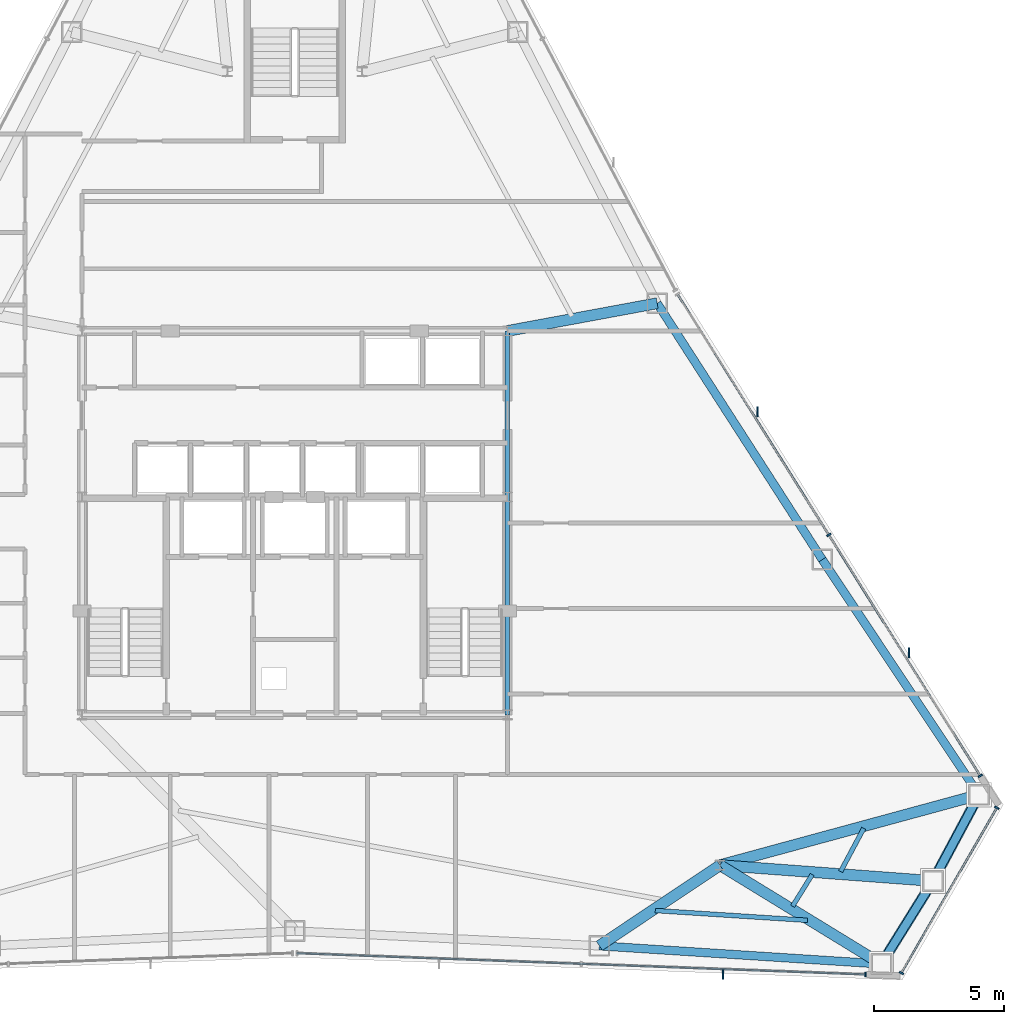
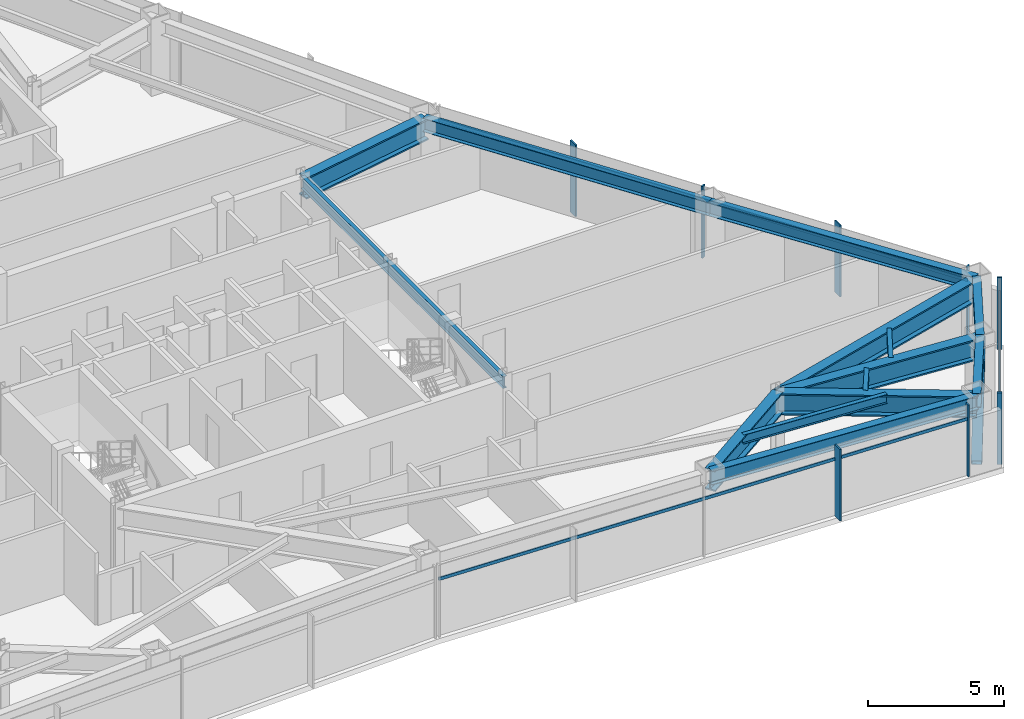
# One storey, part 7 of 13: 14 beams, 13 members, 3 elements without a shape of their own.
"""IFC4 building model written with IfcOpenShell, lengths in metres."""

from ifc_helpers import new_model, si_unit, direction, frame, origin, origin_2d, place, context, subcontext, project, spatial, rectangle, hollow_rectangle, i_section, extrude, source, transform, mapped, material, layer, layer_set, material_profile, profile_set, type_object, type_shapes, element, aggregate, save


model = new_model("IFC4")

# Units and contexts
model_context = context("Model", 3, precision=1e-05, world=origin(), true_north=direction((0.0, 1.0)))
body_context = subcontext(model_context, "Body", "Model", "MODEL_VIEW")
ifc_project = project(units=[si_unit("LENGTHUNIT", "METRE"), si_unit("AREAUNIT", "SQUARE_METRE"), si_unit("VOLUMEUNIT", "CUBIC_METRE"), si_unit("PLANEANGLEUNIT", "RADIAN"), si_unit("MASSUNIT", "GRAM", prefix="KILO")], contexts=[model_context])

# Site, building, storey
site_placement = place(None, origin())
site = spatial("IfcSite", under=ifc_project, at=site_placement, CompositionType="ELEMENT")
building_placement = place(site_placement, origin())
building = spatial("IfcBuilding", under=site, at=building_placement, Name="Varakhsha Concourse Tower", CompositionType="ELEMENT")
storey_placement = place(building_placement, frame((0.0, 0.0, 175.800048828125)))
storey = spatial("IfcBuildingStorey", under=building, at=storey_placement, Name="L50", CompositionType="ELEMENT", Elevation=175.800048828125)

# Beams
ifc_material_1 = material(Name="Structural Steel ASTM A992 Grade 50", Category="steel")
ifc_material_profile_1 = material_profile(ifc_material_1, i_section(OverallWidth=0.177978515625, OverallDepth=0.406982421875, WebThickness=0.008056640625, FlangeThickness=0.012939453125, at=origin_2d()), Name="W16X40")
ifc_profile_set_1 = profile_set([ifc_material_profile_1], Name="Structural Steel ASTM A992 Grade 50")
beam_type_1 = type_object("IfcBeamType", Name="BM-JST-W16X40", PredefinedType="JOIST", material=ifc_profile_set_1)
beam_1_placement = place(storey_placement, frame((53.902587890625, 8.851806640625, 3.00634765625), z_axis=(0.99793209754, -0.064276968651, 0.0), x_axis=(0.064276968651, 0.99793209754, 0.0)))
element("IfcBeam", 1, at=beam_1_placement, inside=storey, type_object=beam_type_1, Name="BM-TJST-L50-12", PredefinedType="JOIST", context=body_context, shape_type="SweptSolid", body=[
    extrude(i_section(OverallWidth=0.177978515625, OverallDepth=0.406982421875, WebThickness=0.008056640625, FlangeThickness=0.012939453125, at=origin_2d()), origin(), (0.0, 0.0, 1.0), 5.883544921875),
])
beam_2_placement = place(storey_placement, frame((59.1953125, 9.01708984375, 3.00634765625), z_axis=(0.528059854991, 0.849207153495, 0.0), x_axis=(-0.849207153495, 0.528059854991, 0.0)))
element("IfcBeam", 2, at=beam_2_placement, inside=storey, type_object=beam_type_1, Name="BM-TJST-L50-13", PredefinedType="JOIST", context=body_context, shape_type="SweptSolid", body=[
    extrude(i_section(OverallWidth=0.177978515625, OverallDepth=0.406982421875, WebThickness=0.008056640625, FlangeThickness=0.012939453125, at=origin_2d()), origin(), (0.0, 0.0, 1.0), 1.438232421875),
])
beam_3_placement = place(storey_placement, frame((61.050048828125, 10.35595703125, 3.00634765625), z_axis=(0.471432696915, 0.881902042338, 0.0), x_axis=(-0.881902042338, 0.471432696915, 0.0)))
element("IfcBeam", 3, at=beam_3_placement, inside=storey, type_object=beam_type_1, Name="BM-TJST-L50-14", PredefinedType="JOIST", context=body_context, shape_type="SweptSolid", body=[
    extrude(i_section(OverallWidth=0.177978515625, OverallDepth=0.406982421875, WebThickness=0.008056640625, FlangeThickness=0.012939453125, at=origin_2d()), origin(), (0.0, 0.0, 1.0), 1.89013671875),
])
ifc_material_profile_2 = material_profile(ifc_material_1, i_section(OverallWidth=0.423095703125, OverallDepth=0.947998046875, WebThickness=0.0380859375, FlangeThickness=0.06396484375, at=origin_2d()), Name="W36X302")
ifc_profile_set_2 = profile_set([ifc_material_profile_2], Name="Structural Steel ASTM A992 Grade 50")
beam_type_2 = type_object("IfcBeamType", Name="BM-OUTR-W36X302", PredefinedType="USERDEFINED", material=ifc_profile_set_2)
beam_4_placement = place(storey_placement, frame((56.39990234375, 10.60009765625, 2.73583984375), z_axis=(-0.83158036055, -0.555404450782, 0.0), x_axis=(0.555404450782, -0.83158036055, 0.0)))
element("IfcBeam", 4, at=beam_4_placement, inside=storey, type_object=beam_type_2, Name="L50 Radial Floor Girder 12", ObjectType="GIRDER", PredefinedType="USERDEFINED", context=body_context, shape_type="SweptSolid", body=[
    extrude(i_section(OverallWidth=0.423095703125, OverallDepth=0.947998046875, WebThickness=0.0380859375, FlangeThickness=0.06396484375, at=origin_2d()), origin(), (0.0, 0.0, 1.0), 5.598388671875),
])
beam_5_placement = place(storey_placement, frame((56.39990234375, 10.60009765625, 2.73583984375), z_axis=(0.852809936367, -0.522221420888, 0.0), x_axis=(0.522221420888, 0.852809936367, 0.0)))
element("IfcBeam", 5, at=beam_5_placement, inside=storey, type_object=beam_type_2, Name="L50 Radial Floor Girder 13", ObjectType="GIRDER", PredefinedType="USERDEFINED", context=body_context, shape_type="SweptSolid", body=[
    extrude(i_section(OverallWidth=0.423095703125, OverallDepth=0.947998046875, WebThickness=0.0380859375, FlangeThickness=0.06396484375, at=origin_2d()), origin(), (0.0, 0.0, 1.0), 7.294921875),
])
beam_6_placement = place(storey_placement, frame((56.39990234375, 10.60009765625, 2.73583984375), z_axis=(0.99725755111, -0.074009301804, 0.0), x_axis=(0.074009301804, 0.99725755111, 0.0)))
element("IfcBeam", 6, at=beam_6_placement, inside=storey, type_object=beam_type_2, Name="L50 Radial Floor Girder 14", ObjectType="GIRDER", PredefinedType="USERDEFINED", context=body_context, shape_type="SweptSolid", body=[
    extrude(i_section(OverallWidth=0.423095703125, OverallDepth=0.947998046875, WebThickness=0.0380859375, FlangeThickness=0.06396484375, at=origin_2d()), origin(), (0.0, 0.0, 1.0), 8.233642578125),
])
beam_7_placement = place(storey_placement, frame((56.39990234375, 10.60009765625, 2.73583984375), z_axis=(0.965004562858, 0.262233090327, 0.0), x_axis=(-0.262233090327, 0.965004562858, 0.0)))
element("IfcBeam", 7, at=beam_7_placement, inside=storey, type_object=beam_type_2, Name="L50 Radial Floor Girder 15", ObjectType="GIRDER", PredefinedType="USERDEFINED", context=body_context, shape_type="SweptSolid", body=[
    extrude(i_section(OverallWidth=0.423095703125, OverallDepth=0.947998046875, WebThickness=0.0380859375, FlangeThickness=0.06396484375, at=origin_2d()), origin(), (0.0, 0.0, 1.0), 10.35009765625),
])
beam_8_placement = place(storey_placement, frame((48.199951171875, 31.199951171875, 2.73583984375), z_axis=(0.983293026869, 0.182029731939, 0.0), x_axis=(-0.182029731939, 0.983293026869, 0.0)))
element("IfcBeam", 8, at=beam_8_placement, inside=storey, type_object=beam_type_2, Name="L50 Radial Floor Girder 17", ObjectType="GIRDER", PredefinedType="USERDEFINED", context=body_context, shape_type="SweptSolid", body=[
    extrude(i_section(OverallWidth=0.423095703125, OverallDepth=0.947998046875, WebThickness=0.0380859375, FlangeThickness=0.06396484375, at=origin_2d()), origin(), (0.0, 0.0, 1.0), 5.87451171875),
])
ifc_material_profile_3 = material_profile(ifc_material_1, i_section(OverallWidth=0.1669921875, OverallDepth=0.534912109375, WebThickness=0.010009765625, FlangeThickness=0.01708984375, at=origin_2d()), Name="W21X57")
ifc_profile_set_3 = profile_set([ifc_material_profile_3], Name="Structural Steel ASTM A992 Grade 50")
beam_type_3 = type_object("IfcBeamType", Name="BM-RAD-W21X57", PredefinedType="BEAM", material=ifc_profile_set_3)
beam_9_placement = place(storey_placement, frame((48.199951171875, 16.39990234375, 2.9423828125), z_axis=(0.0, 1.0, 0.0), x_axis=(-1.0, 0.0, 0.0)))
element("IfcBeam", 9, at=beam_9_placement, inside=storey, type_object=beam_type_3, Name="BM-TCORE-L50-CE", PredefinedType="BEAM", context=body_context, shape_type="SweptSolid", body=[
    extrude(i_section(OverallWidth=0.1669921875, OverallDepth=0.534912109375, WebThickness=0.010009765625, FlangeThickness=0.01708984375, at=origin_2d()), origin(), (0.0, 0.0, 1.0), 14.800048828125),
])
ifc_material_profile_4 = material_profile(ifc_material_1, i_section(OverallWidth=0.323974609375, OverallDepth=0.611083984375, WebThickness=0.012939453125, FlangeThickness=0.01904296875, at=origin_2d()), Name="W24X104")
ifc_profile_set_4 = profile_set([ifc_material_profile_4], Name="Structural Steel ASTM A992 Grade 50")
beam_type_4 = type_object("IfcBeamType", Name="BM-SPAN-W24X104", PredefinedType="SPANDREL", material=ifc_profile_set_4)
beam_10_placement = place(storey_placement, frame((51.744384765625, 7.49072265625, 2.904541015625), z_axis=(0.997934305556, -0.064242678915, 0.0), x_axis=(0.064242678915, 0.997934305556, 0.0)))
element("IfcBeam", 10, at=beam_10_placement, inside=storey, type_object=beam_type_4, Name="BM-SPAN-L50-12", PredefinedType="SPANDREL", context=body_context, shape_type="SweptSolid", body=[
    extrude(i_section(OverallWidth=0.323974609375, OverallDepth=0.611083984375, WebThickness=0.012939453125, FlangeThickness=0.01904296875, at=origin_2d()), origin(), (0.0, 0.0, 1.0), 10.899169921875),
])
for number, where, z_axis, x_axis, name in (
    (11, (62.62109375, 6.79052734375, 2.904541015625), (0.528064197342, 0.849204453289, 0.0), (-0.849204453289, 0.528064197342, 0.0), "BM-SPAN-L50-13"),
    (12, (64.611083984375, 9.99072265625, 2.904541015625), (0.471432003262, 0.881902413139, 0.0), (-0.881902413139, 0.471432003262, 0.0), "BM-SPAN-L50-14"),
):
    element("IfcBeam", number, at=place(storey_placement, frame(where, z_axis=z_axis, x_axis=x_axis)), inside=storey, type_object=beam_type_4, Name=name, PredefinedType="SPANDREL", context=body_context, shape_type="SweptSolid", body=[
        extrude(i_section(OverallWidth=0.323974609375, OverallDepth=0.611083984375, WebThickness=0.012939453125, FlangeThickness=0.01904296875, at=origin_2d()), origin(), (0.0, 0.0, 1.0), 3.7685546875),
    ])
beam_11_placement = place(storey_placement, frame((66.3876953125, 13.314208984375, 2.904541015625), z_axis=(-0.554617486764, 0.832105428041, 0.0), x_axis=(-0.832105428041, -0.554617486764, 0.0)))
element("IfcBeam", 13, at=beam_11_placement, inside=storey, type_object=beam_type_4, Name="BM-SPAN-L50-15", PredefinedType="SPANDREL", context=body_context, shape_type="SweptSolid", body=[
    extrude(i_section(OverallWidth=0.323974609375, OverallDepth=0.611083984375, WebThickness=0.012939453125, FlangeThickness=0.01904296875, at=origin_2d()), origin(), (0.0, 0.0, 1.0), 10.899169921875),
])
beam_12_placement = place(storey_placement, frame((60.3427734375, 22.383544921875, 2.904541015625), z_axis=(-0.541439522793, 0.840739700001, 0.0), x_axis=(-0.840739700001, -0.541439522793, 0.0)))
element("IfcBeam", 14, at=beam_12_placement, inside=storey, type_object=beam_type_4, Name="BM-SPAN-L50-16", PredefinedType="SPANDREL", context=body_context, shape_type="SweptSolid", body=[
    extrude(i_section(OverallWidth=0.323974609375, OverallDepth=0.611083984375, WebThickness=0.012939453125, FlangeThickness=0.01904296875, at=origin_2d()), origin(), (0.0, 0.0, 1.0), 11.75830078125),
])

# Members
ifc_material_2 = material(Name="Structural Steel ASTM A500 Grade C", Category="steel")
ifc_material_profile_5 = material_profile(ifc_material_2, hollow_rectangle(XDim=0.39990234375, YDim=0.39990234375, WallThickness=0.01611328125, at=origin_2d()), Name="HSS 400x400x16")
ifc_profile_set_5 = profile_set([ifc_material_profile_5], Name="Structural Steel ASTM A500 Grade C")
member_type_1 = type_object("IfcMemberType", Name="MB-TUBE-HSS400", PredefinedType="BRACE", material=ifc_profile_set_5)
shared_shape_1 = source(origin(), body_context, "Body", "SweptSolid", [
    extrude(hollow_rectangle(XDim=0.39990234375, YDim=0.39990234375, WallThickness=0.01611328125, at=origin_2d()), origin(), (0.0, 0.0, 1.0), 4.68896484375),
])
type_shapes(member_type_1, [shared_shape_1])
for number, where, z_axis, x_axis, name in (
    (15, (62.62109375, 6.79052734375, 0.119873046875), (0.424405981571, 0.682506883381, 0.595032702416), (-0.849204453289, 0.528064197342, 0.0), "L50 Wind-Corner Tube Brace B05"),
    (16, (66.3876953125, 13.314208984375, 0.119873046875), (-0.378893427331, -0.708791566066, 0.595024610079), (0.881902413139, -0.471432003262, 0.0), "L50 Wind-Corner Tube Brace B06"),
):
    element("IfcMember", number, at=place(storey_placement, frame(where, z_axis=z_axis, x_axis=x_axis)), inside=storey, type_object=member_type_1, Name=name, PredefinedType="BRACE", context=body_context, shape_type="MappedRepresentation", body=[
        mapped(shared_shape_1, transform((0.0, 0.0, 0.0), scale=1.0)),
    ])

# Curtain wall, member
ifc_material_3 = material(Name="Anodised Bronze Architectural Aluminium AA 6063-T6", Category="aluminium")
ifc_layer = layer(ifc_material_3, 0.2099609375, Name="CW-SYS-04")
ifc_layer_set = layer_set([ifc_layer], Name="Anodised Bronze Architectural Aluminium AA 6063-T6")
curtain_wall_type = type_object("IfcCurtainWallType", Name="CW-SYS-04", PredefinedType="NOTDEFINED", material=ifc_layer_set)
curtain_wall_1_placement = place(storey_placement, origin())
curtain_wall_1 = element("IfcCurtainWall", 17, at=curtain_wall_1_placement, inside=storey, type_object=curtain_wall_type, Name="L50 Crystal Curtain Wall F6", PredefinedType="NOTDEFINED")
ifc_material_profile_6 = material_profile(ifc_material_3, rectangle(XDim=0.06005859375, YDim=0.3798828125, at=origin_2d()), Name="FIN-BRZ-380")
ifc_profile_set_6 = profile_set([ifc_material_profile_6], Name="Anodised Bronze Architectural Aluminium AA 6063-T6")
member_type_2 = type_object("IfcMemberType", Name="FIN-BRZ-380", PredefinedType="USERDEFINED", material=ifc_profile_set_6)
shared_shape_2 = source(origin(), body_context, "Body", "SweptSolid", [
    extrude(rectangle(XDim=0.06005859375, YDim=0.3798828125, at=origin_2d()), origin(), (0.0, 0.0, 1.0), 3.2099609375),
])
type_shapes(member_type_2, [shared_shape_2])
member_1_placement = place(storey_placement, frame((56.521240234375, 6.386474609375, 0.0), z_axis=(0.0, 0.0, 1.0), x_axis=(1.0, 0.0, 0.0)))
member_1 = element("IfcMember", 18, at=member_1_placement, type_object=member_type_2, Name="L50 Anodised Bronze Solar Fin F6-1", ObjectType="SOLAR FIN", PredefinedType="USERDEFINED", context=body_context, shape_type="MappedRepresentation", body=[
    mapped(shared_shape_2, transform((0.0, 0.0, 0.0), scale=1.0)),
])

# Curtain wall, members
curtain_wall_2_placement = place(storey_placement, origin())
curtain_wall_2 = element("IfcCurtainWall", 19, at=curtain_wall_2_placement, inside=storey, type_object=curtain_wall_type, Name="L50 Crystal Curtain Wall F8", PredefinedType="NOTDEFINED")
member_2_placement = place(storey_placement, frame((57.8515625, 28.08740234375, 0.0), z_axis=(0.0, 0.0, 1.0), x_axis=(1.0, 0.0, 0.0)))
member_2 = element("IfcMember", 20, at=member_2_placement, type_object=member_type_2, Name="L50 Anodised Bronze Solar Fin F8-1", ObjectType="SOLAR FIN", PredefinedType="USERDEFINED", context=body_context, shape_type="MappedRepresentation", body=[
    mapped(shared_shape_2, transform((0.0, 0.0, 0.0), scale=1.0)),
])
member_3_placement = place(storey_placement, frame((63.687744140625, 18.798828125, 0.0), z_axis=(0.0, 0.0, 1.0), x_axis=(1.0, 0.0, 0.0)))
member_3 = element("IfcMember", 21, at=member_3_placement, type_object=member_type_2, Name="L50 Anodised Bronze Solar Fin F8-2", ObjectType="SOLAR FIN", PredefinedType="USERDEFINED", context=body_context, shape_type="MappedRepresentation", body=[
    mapped(shared_shape_2, transform((0.0, 0.0, 0.0), scale=1.0)),
])

# Member
ifc_material_profile_7 = material_profile(ifc_material_3, rectangle(XDim=0.06494140625, YDim=0.179931640625, at=origin_2d()), Name="CWM-180X65")
ifc_profile_set_7 = profile_set([ifc_material_profile_7], Name="Anodised Bronze Architectural Aluminium AA 6063-T6")
member_type_3 = type_object("IfcMemberType", Name="CWM-180X65", PredefinedType="MULLION", material=ifc_profile_set_7)
shared_shape_3 = source(origin(), body_context, "Body", "SweptSolid", [
    extrude(rectangle(XDim=0.06494140625, YDim=0.179931640625, at=origin_2d()), origin(), (0.0, 0.0, 1.0), 3.2099609375),
])
type_shapes(member_type_3, [shared_shape_3])
member_4_placement = place(storey_placement, frame((62.010009765625, 6.38623046875, 0.0), z_axis=(0.0, 0.0, 1.0), x_axis=(-0.999301264048, 0.037376244769, 0.0)))
member_4 = element("IfcMember", 22, at=member_4_placement, type_object=member_type_3, Name="CW-L50-F6 Mullion 00", PredefinedType="MULLION", context=body_context, shape_type="MappedRepresentation", body=[
    mapped(shared_shape_3, transform((0.0, 0.0, 0.0), scale=1.0)),
])

# Curtain wall, members
curtain_wall_3_placement = place(storey_placement, origin())
curtain_wall_3 = element("IfcCurtainWall", 23, at=curtain_wall_3_placement, inside=storey, type_object=curtain_wall_type, Name="L50 Chamfer Curtain Wall F7", PredefinedType="NOTDEFINED")
member_5_placement = place(storey_placement, frame((67.074462890625, 12.81787109375, 0.0), z_axis=(0.0, 0.0, 1.0), x_axis=(-0.499996976998, -0.866027149108, 0.0)))
member_5 = element("IfcMember", 24, at=member_5_placement, type_object=member_type_3, Name="CW-L50-F7 Mullion 00", PredefinedType="MULLION", context=body_context, shape_type="MappedRepresentation", body=[
    mapped(shared_shape_3, transform((0.0, 0.0, 0.0), scale=1.0)),
])
member_6_placement = place(storey_placement, frame((63.39453125, 6.44384765625, 0.0), z_axis=(0.0, 0.0, 1.0), x_axis=(-0.499996976998, -0.866027149108, 0.0)))
member_6 = element("IfcMember", 25, at=member_6_placement, type_object=member_type_3, Name="CW-L50-F7 Mullion 01", PredefinedType="MULLION", context=body_context, shape_type="MappedRepresentation", body=[
    mapped(shared_shape_3, transform((0.0, 0.0, 0.0), scale=1.0)),
])

# Member
member_7_placement = place(storey_placement, frame((60.595947265625, 23.333984375, 0.0), z_axis=(0.0, 0.0, 1.0), x_axis=(0.532022365141, -0.846730301212, 0.0)))
member_7 = element("IfcMember", 26, at=member_7_placement, type_object=member_type_3, Name="CW-L50-F8 Mullion 01", PredefinedType="MULLION", context=body_context, shape_type="MappedRepresentation", body=[
    mapped(shared_shape_3, transform((0.0, 0.0, 0.0), scale=1.0)),
])

member_8_placement = place(storey_placement, frame((66.43212890625, 14.045654296875, 0.0), z_axis=(0.0, 0.0, 1.0), x_axis=(0.532022365141, -0.846730301212, 0.0)))
member_8 = element("IfcMember", 27, at=member_8_placement, type_object=member_type_3, Name="CW-L50-F8 Mullion 02", PredefinedType="MULLION", context=body_context, shape_type="MappedRepresentation", body=[
    mapped(shared_shape_3, transform((0.0, 0.0, 0.0), scale=1.0)),
])

ifc_material_profile_8 = material_profile(ifc_material_3, rectangle(XDim=0.06005859375, YDim=0.139892578125, at=origin_2d()), Name="CWT-140X60")
ifc_profile_set_8 = profile_set([ifc_material_profile_8], Name="Anodised Bronze Architectural Aluminium AA 6063-T6")
member_type_4 = type_object("IfcMemberType", Name="CWT-140X60", PredefinedType="USERDEFINED", material=ifc_profile_set_8)
shared_shape_4 = source(origin(), body_context, "Body", "SweptSolid", [
    extrude(rectangle(XDim=0.06005859375, YDim=0.139892578125, at=origin_2d()), origin(), (0.0, 0.0, 1.0), 21.939208984375),
])
member_9_placement = place(storey_placement, frame((54.760009765625, 32.622314453125, 2.56005859375), z_axis=(0.532019983212, -0.846731797834, 0.0), x_axis=(0.846731797834, 0.532019983212, 0.0)))
member_9 = element("IfcMember", 28, at=member_9_placement, type_object=member_type_4, Name="CW-L50-F8 Transom 01", ObjectType="TRANSOM", PredefinedType="USERDEFINED", context=body_context, shape_type="MappedRepresentation", body=[
    mapped(shared_shape_4, transform((0.0, 0.0, 0.0), scale=1.0)),
])

aggregate(curtain_wall_2, [member_7, member_8, member_9, member_2, member_3])

shared_shape_5 = source(origin(), body_context, "Body", "SweptSolid", [
    extrude(rectangle(XDim=0.06005859375, YDim=0.139892578125, at=origin_2d()), origin(), (0.0, 0.0, 1.0), 21.939453125),
])
member_10_placement = place(storey_placement, frame((62.010009765625, 6.38623046875, 2.56005859375), z_axis=(-0.999301168886, 0.037378788948, 0.0), x_axis=(-0.037378788948, -0.999301168886, 0.0)))
member_10 = element("IfcMember", 29, at=member_10_placement, type_object=member_type_4, Name="CW-L50-F6 Transom 01", ObjectType="TRANSOM", PredefinedType="USERDEFINED", context=body_context, shape_type="MappedRepresentation", body=[
    mapped(shared_shape_5, transform((0.0, 0.0, 0.0), scale=1.0)),
])

aggregate(curtain_wall_1, [member_4, member_10, member_1])

shared_shape_6 = source(origin(), body_context, "Body", "SweptSolid", [
    extrude(rectangle(XDim=0.06005859375, YDim=0.139892578125, at=origin_2d()), origin(), (0.0, 0.0, 1.0), 7.360107421875),
])
type_shapes(member_type_4, [shared_shape_4, shared_shape_5, shared_shape_6])
member_11_placement = place(storey_placement, frame((67.074462890625, 12.81787109375, 2.56005859375), z_axis=(-0.499988535315, -0.866032022822, 0.0), x_axis=(0.866032022822, -0.499988535315, 0.0)))
member_11 = element("IfcMember", 30, at=member_11_placement, type_object=member_type_4, Name="CW-L50-F7 Transom 01", ObjectType="TRANSOM", PredefinedType="USERDEFINED", context=body_context, shape_type="MappedRepresentation", body=[
    mapped(shared_shape_6, transform((0.0, 0.0, 0.0), scale=1.0)),
])

aggregate(curtain_wall_3, [member_5, member_6, member_11])

save(model, "model.ifc")
